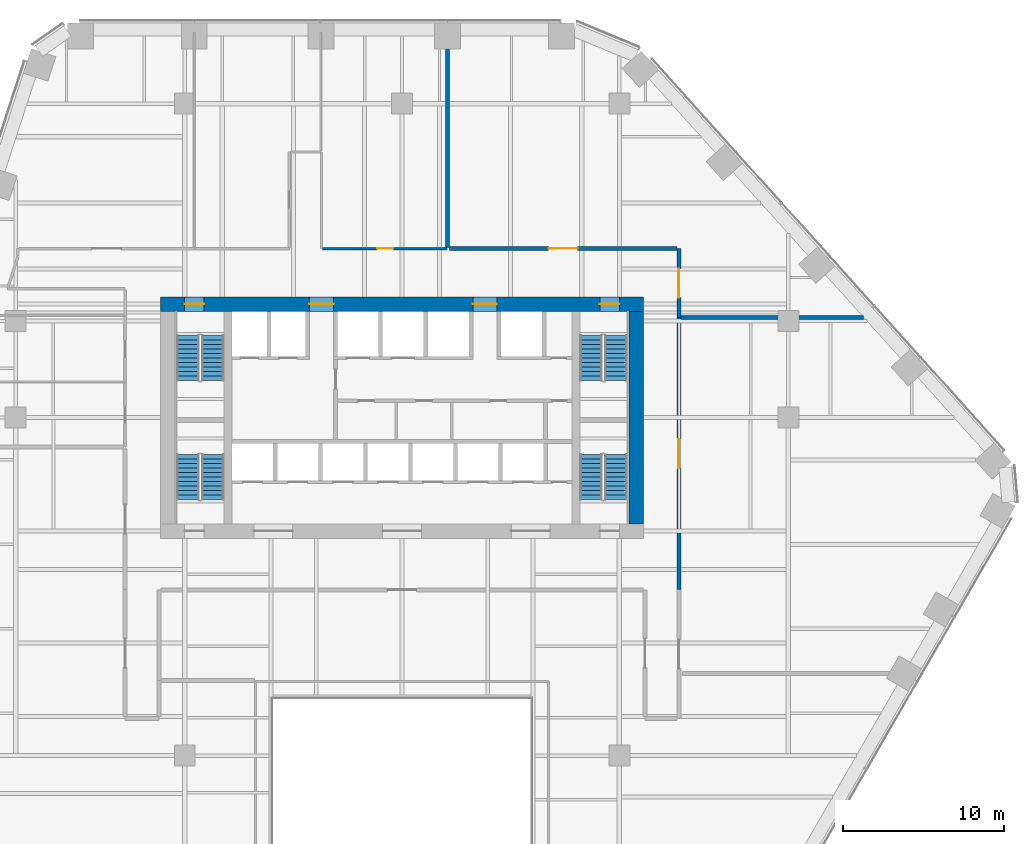
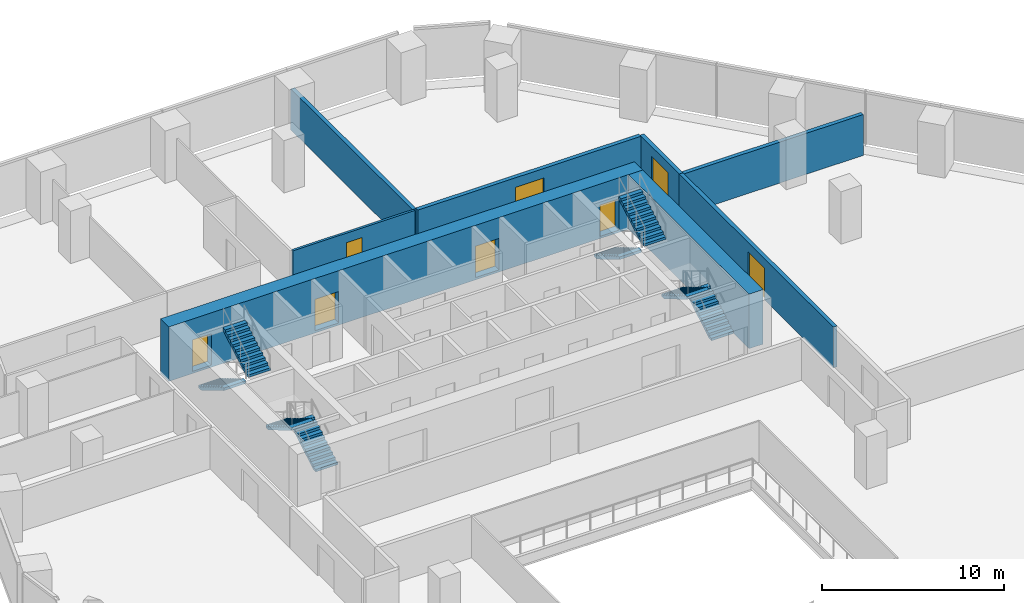
# One storey, part 16 of 19: 8 doors, 8 stair flights, 8 walls, 8 openings, 4 elements without a shape of their own.
"""IFC4 building model written with IfcOpenShell, lengths in metres."""

from ifc_helpers import new_model, si_unit, direction, frame, frame_2d, origin, place, context, subcontext, project, spatial, polyline, rectangle, outline, extrude, material, layer, layer_set, type_object, element, fill, aggregate, save


model = new_model("IFC4")

# Units and contexts
model_context = context("Model", 3, precision=1e-05, world=origin(), true_north=direction((0.0, 1.0)))
body_context = subcontext(model_context, "Body", "Model", "MODEL_VIEW")
ifc_project = project(units=[si_unit("LENGTHUNIT", "METRE"), si_unit("AREAUNIT", "SQUARE_METRE"), si_unit("VOLUMEUNIT", "CUBIC_METRE"), si_unit("PLANEANGLEUNIT", "RADIAN"), si_unit("MASSUNIT", "GRAM", prefix="KILO")], contexts=[model_context])

# Site, building, storey
site_placement = place(None, origin())
site = spatial("IfcSite", under=ifc_project, at=site_placement, CompositionType="ELEMENT")
building_placement = place(site_placement, origin())
building = spatial("IfcBuilding", under=site, at=building_placement, Name="Isthmus Gate Tower", CompositionType="ELEMENT")
storey_placement = place(building_placement, frame((0.0, 0.0, 95.25)))
storey = spatial("IfcBuildingStorey", under=building, at=storey_placement, Name="L22", CompositionType="ELEMENT", Elevation=95.25)

# Wall, opening, door
ifc_material_1 = material(Name="Double-leaf acoustic stud wall, fire-rated", Category="gypsum")
ifc_layer_1 = layer(ifc_material_1, 0.25)
ifc_layer_set_1 = layer_set([ifc_layer_1], Name="ACOUSTIC WALL 250 60 MIN")
wall_type_1 = type_object("IfcWallType", Name="ACOUSTIC WALL 250 60 MIN", PredefinedType="PARTITIONING", material=ifc_layer_set_1)
wall_1_placement = place(storey_placement, frame((17.199951171875, 18.0, 0.0), z_axis=(0.0, 0.0, 1.0), x_axis=(0.0, -1.0, 0.0)))
wall_1 = element("IfcWall", 1, at=wall_1_placement, inside=storey, type_object=wall_type_1, Name="L22 Acoustic Wall 250 60 Min", PredefinedType="PARTITIONING", context=body_context, shape_type="SweptSolid", body=[
    extrude(rectangle(XDim=4.291015625, YDim=0.25, at=frame_2d((2.1455078125, 0.0))), origin(), (0.0, 0.0, 1.0), 2.7412109375),
])
opening_1_placement = place(wall_1_placement, frame((1.24560546875, 0.0, 0.0)))
opening_1 = element("IfcOpeningElement", 2, at=opening_1_placement, cuts=wall_1, Name="Opening DT-T2B-05", PredefinedType="OPENING", context=body_context, shape_type="SweptSolid", body=[
    extrude(rectangle(XDim=1.800048828125, YDim=2.10009765625, at=frame_2d((0.89990234375, 1.050048828125))), frame((0.0, 0.135009765625, 0.0), z_axis=(0.0, -1.0, 0.0), x_axis=(1.0, 0.0, 0.0)), (0.0, 0.0, 1.0), 0.27001953125),
])
ifc_material_2 = material(Name="Solid core timber door leaf, fire-rated", Category="wood")
door_type_1 = type_object("IfcDoorType", Name="FIRE DOOR ACOUSTIC ROOM 1800 X 2100 60 MIN", OperationType="DOUBLE_DOOR_DOUBLE_SWING", PredefinedType="DOOR", material=ifc_material_2)
door_1_placement = place(opening_1_placement, origin())
door_1 = element("IfcDoor", 3, at=door_1_placement, inside=storey, type_object=door_type_1, Name="L22 room door", OperationType="DOUBLE_DOOR_DOUBLE_SWING", OverallHeight=2.10009765625, OverallWidth=1.800048828125, PredefinedType="DOOR", context=body_context, shape_type="SweptSolid", body=[
    extrude(rectangle(XDim=1.800048828125, YDim=2.10009765625, at=frame_2d((0.89990234375, 1.050048828125))), frame((0.0, 0.02490234375, 0.0), z_axis=(0.0, -1.0, 0.0), x_axis=(1.0, 0.0, 0.0)), (0.0, 0.0, 1.0), 0.050048828125),
])
fill(opening_1, door_1)

wall_2_placement = place(storey_placement, frame((17.199951171875, 13.708984375, 0.0), z_axis=(0.0, 0.0, 1.0), x_axis=(0.0, -1.0, 0.0)))
wall_2 = element("IfcWall", 4, at=wall_2_placement, inside=storey, type_object=wall_type_1, Name="L22 Acoustic Wall 250 60 Min", PredefinedType="PARTITIONING", context=body_context, shape_type="SweptSolid", body=[
    extrude(rectangle(XDim=16.89697265625, YDim=0.25, at=frame_2d((8.448486328125, 0.0))), origin(), (0.0, 0.0, 1.0), 2.7412109375),
])
opening_2_placement = place(wall_2_placement, frame((7.548583984375, 0.0, 0.0)))
opening_2 = element("IfcOpeningElement", 5, at=opening_2_placement, cuts=wall_2, Name="Opening DT-T2B-08", PredefinedType="OPENING", context=body_context, shape_type="SweptSolid", body=[
    extrude(rectangle(XDim=1.800048828125, YDim=2.10009765625, at=frame_2d((0.89990234375, 1.050048828125))), frame((0.0, 0.135009765625, 0.0), z_axis=(0.0, -1.0, 0.0), x_axis=(1.0, 0.0, 0.0)), (0.0, 0.0, 1.0), 0.27001953125),
])
door_2_placement = place(opening_2_placement, origin())
door_2 = element("IfcDoor", 6, at=door_2_placement, inside=storey, type_object=door_type_1, Name="L22 room door", OperationType="DOUBLE_DOOR_DOUBLE_SWING", OverallHeight=2.10009765625, OverallWidth=1.800048828125, PredefinedType="DOOR", context=body_context, shape_type="SweptSolid", body=[
    extrude(rectangle(XDim=1.800048828125, YDim=2.10009765625, at=frame_2d((0.89990234375, 1.050048828125))), frame((0.0, 0.02490234375, 0.0), z_axis=(0.0, -1.0, 0.0), x_axis=(1.0, 0.0, 0.0)), (0.0, 0.0, 1.0), 0.050048828125),
])
fill(opening_2, door_2)

# Wall
wall_3_placement = place(storey_placement, frame((2.83203125, 18.074951171875, 0.0), z_axis=(0.0, 0.0, 1.0), x_axis=(0.0, 1.0, 0.0)))
element("IfcWall", 7, at=wall_3_placement, inside=storey, type_object=wall_type_1, Name="L22 Acoustic Wall 250 60 Min", PredefinedType="PARTITIONING", context=body_context, shape_type="SweptSolid", body=[
    extrude(rectangle(XDim=13.324951171875, YDim=0.25, at=frame_2d((6.66259765625, 0.0))), origin(), (0.0, 0.0, 1.0), 2.7412109375),
])

# Wall, opening, door
wall_4_placement = place(storey_placement, frame((2.95703125, 18.0, 0.0), z_axis=(0.0, 0.0, 1.0), x_axis=(1.0, 0.0, 0.0)))
wall_4 = element("IfcWall", 8, at=wall_4_placement, inside=storey, type_object=wall_type_1, Name="L22 Acoustic Wall 250 60 Min", PredefinedType="PARTITIONING", context=body_context, shape_type="SweptSolid", body=[
    extrude(rectangle(XDim=14.117919921875, YDim=0.25, at=frame_2d((7.05908203125, 0.0))), origin(), (0.0, 0.0, 1.0), 2.7412109375),
])
opening_3_placement = place(wall_4_placement, frame((6.158935546875, 0.0, 0.0)))
opening_3 = element("IfcOpeningElement", 9, at=opening_3_placement, cuts=wall_4, Name="Opening DT-T2B-04", PredefinedType="OPENING", context=body_context, shape_type="SweptSolid", body=[
    extrude(rectangle(XDim=1.800048828125, YDim=2.10009765625, at=frame_2d((0.89990234375, 1.050048828125))), frame((0.0, 0.135009765625, 0.0), z_axis=(0.0, -1.0, 0.0), x_axis=(1.0, 0.0, 0.0)), (0.0, 0.0, 1.0), 0.27001953125),
])
door_3_placement = place(opening_3_placement, origin())
door_3 = element("IfcDoor", 10, at=door_3_placement, inside=storey, type_object=door_type_1, Name="L22 room door", OperationType="DOUBLE_DOOR_DOUBLE_SWING", OverallHeight=2.10009765625, OverallWidth=1.800048828125, PredefinedType="DOOR", context=body_context, shape_type="SweptSolid", body=[
    extrude(rectangle(XDim=1.800048828125, YDim=2.10009765625, at=frame_2d((0.89990234375, 1.050048828125))), frame((0.0, 0.02490234375, 0.0), z_axis=(0.0, -1.0, 0.0), x_axis=(1.0, 0.0, 0.0)), (0.0, 0.0, 1.0), 0.050048828125),
])
fill(opening_3, door_3)

# Wall
wall_5_placement = place(storey_placement, frame((17.324951171875, 13.708984375, 0.0), z_axis=(0.0, 0.0, 1.0), x_axis=(1.0, 0.0, 0.0)))
element("IfcWall", 11, at=wall_5_placement, inside=storey, type_object=wall_type_1, Name="L22 Acoustic Wall 250 60 Min", PredefinedType="PARTITIONING", context=body_context, shape_type="SweptSolid", body=[
    extrude(rectangle(XDim=11.343017578125, YDim=0.25, at=frame_2d((5.67138671875, 0.0))), origin(), (0.0, 0.0, 1.0), 2.7412109375),
])

# Wall, opening, door
ifc_material_3 = material(Name="Gypsum board on steel studs, fire-rated", Category="steel")
ifc_layer_2 = layer(ifc_material_3, 0.14990234375)
ifc_layer_set_2 = layer_set([ifc_layer_2], Name="CORRIDOR WALL 150 60 MIN")
wall_type_2 = type_object("IfcWallType", Name="CORRIDOR WALL 150 60 MIN", PredefinedType="PARTITIONING", material=ifc_layer_set_2)
wall_6_placement = place(storey_placement, frame((-4.925048828125, 18.0, 0.0), z_axis=(0.0, 0.0, 1.0), x_axis=(1.0, 0.0, 0.0)))
wall_6 = element("IfcWall", 12, at=wall_6_placement, inside=storey, type_object=wall_type_2, Name="L22 Corridor Wall 150 60 Min", PredefinedType="PARTITIONING", context=body_context, shape_type="SweptSolid", body=[
    extrude(rectangle(XDim=7.70703125, YDim=0.14990234375, at=frame_2d((3.853515625, 0.0))), origin(), (0.0, 0.0, 1.0), 2.7412109375),
])
opening_4_placement = place(wall_6_placement, frame((3.37841796875, 0.0, 0.0)))
opening_4 = element("IfcOpeningElement", 13, at=opening_4_placement, cuts=wall_6, Name="Opening DT-T2B-03", PredefinedType="OPENING", context=body_context, shape_type="SweptSolid", body=[
    extrude(rectangle(XDim=1.0, YDim=2.10009765625, at=frame_2d((0.5, 1.050048828125))), frame((0.0, 0.0849609375, 0.0), z_axis=(0.0, -1.0, 0.0), x_axis=(1.0, 0.0, 0.0)), (0.0, 0.0, 1.0), 0.169921875),
])
ifc_material_4 = material(Name="Solid core timber door leaf, fire-rated", Category="wood")
door_type_2 = type_object("IfcDoorType", Name="FIRE DOOR ROOM 1000 X 2100 60 MIN", OperationType="SINGLE_SWING_LEFT", PredefinedType="DOOR", material=ifc_material_4)
door_4_placement = place(opening_4_placement, origin())
door_4 = element("IfcDoor", 14, at=door_4_placement, inside=storey, type_object=door_type_2, Name="L22 room door", OperationType="SINGLE_SWING_RIGHT", OverallHeight=2.10009765625, OverallWidth=1.0, PredefinedType="DOOR", context=body_context, shape_type="SweptSolid", body=[
    extrude(rectangle(XDim=1.0, YDim=2.10009765625, at=frame_2d((0.5, 1.050048828125))), frame((0.0, 0.02490234375, 0.0), z_axis=(0.0, -1.0, 0.0), x_axis=(1.0, 0.0, 0.0)), (0.0, 0.0, 1.0), 0.050048828125),
])
fill(opening_4, door_4)

# Wall, openings, doors
ifc_material_5 = material(Name="Concrete f'c 70 MPa", Category="concrete")
ifc_layer_3 = layer(ifc_material_5, 0.89990234375)
ifc_layer_set_3 = layer_set([ifc_layer_3], Name="RC CORE WALL 900 F'C 70")
wall_type_3 = type_object("IfcWallType", Name="RC CORE WALL 900 F'C 70", PredefinedType="SOLIDWALL", material=ifc_layer_set_3)
wall_7_placement = place(storey_placement, frame((-15.0, 14.550048828125, -0.14990234375), z_axis=(0.0, 0.0, 1.0), x_axis=(1.0, 0.0, 0.0)))
wall_7 = element("IfcWall", 15, at=wall_7_placement, inside=storey, type_object=wall_type_3, Name="str-corewall-L22-N", PredefinedType="SOLIDWALL", context=body_context, shape_type="SweptSolid", body=[
    extrude(rectangle(XDim=30.0, YDim=0.89990234375, at=frame_2d((15.0, 0.0))), origin(), (0.0, 0.0, 1.0), 3.64990234375),
])
opening_5_placement = place(wall_7_placement, frame((9.25, 0.0, 0.14990234375)))
opening_5 = element("IfcOpeningElement", 16, at=opening_5_placement, cuts=wall_7, Name="Opening DC-A03-11", PredefinedType="OPENING", context=body_context, shape_type="SweptSolid", body=[
    extrude(rectangle(XDim=1.5, YDim=2.10009765625, at=frame_2d((0.75, 1.050048828125))), frame((0.0, 0.4599609375, 0.0), z_axis=(0.0, -1.0, 0.0), x_axis=(1.0, 0.0, 0.0)), (0.0, 0.0, 1.0), 0.919921875),
])
opening_6_placement = place(wall_7_placement, frame((19.39990234375, 0.0, 0.14990234375)))
opening_6 = element("IfcOpeningElement", 17, at=opening_6_placement, cuts=wall_7, Name="Opening DC-A03-12", PredefinedType="OPENING", context=body_context, shape_type="SweptSolid", body=[
    extrude(rectangle(XDim=1.5, YDim=2.10009765625, at=frame_2d((0.75, 1.050048828125))), frame((0.0, 0.4599609375, 0.0), z_axis=(0.0, -1.0, 0.0), x_axis=(1.0, 0.0, 0.0)), (0.0, 0.0, 1.0), 0.919921875),
])
opening_7_placement = place(wall_7_placement, frame((1.5, 0.0, 0.14990234375)))
opening_7 = element("IfcOpeningElement", 18, at=opening_7_placement, cuts=wall_7, Name="Opening DC-A03-13", PredefinedType="OPENING", context=body_context, shape_type="SweptSolid", body=[
    extrude(rectangle(XDim=1.199951171875, YDim=2.10009765625, at=frame_2d((0.60009765625, 1.050048828125))), frame((0.0, 0.4599609375, 0.0), z_axis=(0.0, -1.0, 0.0), x_axis=(1.0, 0.0, 0.0)), (0.0, 0.0, 1.0), 0.919921875),
])
opening_8_placement = place(wall_7_placement, frame((27.300048828125, 0.0, 0.14990234375)))
opening_8 = element("IfcOpeningElement", 19, at=opening_8_placement, cuts=wall_7, Name="Opening DC-A03-14", PredefinedType="OPENING", context=body_context, shape_type="SweptSolid", body=[
    extrude(rectangle(XDim=1.199951171875, YDim=2.10009765625, at=frame_2d((0.60009765625, 1.050048828125))), frame((0.0, 0.4599609375, 0.0), z_axis=(0.0, -1.0, 0.0), x_axis=(1.0, 0.0, 0.0)), (0.0, 0.0, 1.0), 0.919921875),
])
ifc_material_6 = material(Name="Steel door leaf, fire-rated", Category="steel")
door_type_3 = type_object("IfcDoorType", Name="LOBBY FIRE DOOR 1500 X 2100 60 MIN", OperationType="DOUBLE_DOOR_SINGLE_SWING", PredefinedType="DOOR", material=ifc_material_6)
door_5_placement = place(opening_6_placement, origin())
door_5 = element("IfcDoor", 20, at=door_5_placement, inside=storey, type_object=door_type_3, Name="Lobby Door PN-E", OperationType="DOUBLE_DOOR_SINGLE_SWING", OverallHeight=2.10009765625, OverallWidth=1.5, PredefinedType="DOOR", context=body_context, shape_type="SweptSolid", body=[
    extrude(rectangle(XDim=1.5, YDim=2.10009765625, at=frame_2d((0.75, 1.050048828125))), frame((0.0, 0.02490234375, 0.0), z_axis=(0.0, -1.0, 0.0), x_axis=(1.0, 0.0, 0.0)), (0.0, 0.0, 1.0), 0.050048828125),
])
fill(opening_6, door_5)
ifc_material_7 = material(Name="Steel door leaf, fire-rated", Category="steel")
door_type_4 = type_object("IfcDoorType", Name="LOBBY FIRE DOOR 1500 X 2100 90 MIN", OperationType="DOUBLE_DOOR_SINGLE_SWING", PredefinedType="DOOR", material=ifc_material_7)
door_6_placement = place(opening_5_placement, origin())
door_6 = element("IfcDoor", 21, at=door_6_placement, inside=storey, type_object=door_type_4, Name="Lobby Door PN-W", OperationType="DOUBLE_DOOR_SINGLE_SWING", OverallHeight=2.10009765625, OverallWidth=1.5, PredefinedType="DOOR", context=body_context, shape_type="SweptSolid", body=[
    extrude(rectangle(XDim=1.5, YDim=2.10009765625, at=frame_2d((0.75, 1.050048828125))), frame((0.0, 0.02490234375, 0.0), z_axis=(0.0, -1.0, 0.0), x_axis=(1.0, 0.0, 0.0)), (0.0, 0.0, 1.0), 0.050048828125),
])
fill(opening_5, door_6)
ifc_material_8 = material(Name="Steel door leaf, fire-rated", Category="steel")
door_type_5 = type_object("IfcDoorType", Name="STAIR FIRE DOOR 1200 X 2100 90 MIN", OperationType="SINGLE_SWING_LEFT", PredefinedType="DOOR", material=ifc_material_8)
door_7_placement = place(opening_7_placement, origin())
door_7 = element("IfcDoor", 22, at=door_7_placement, inside=storey, type_object=door_type_5, Name="Exit Stair 1 Door", OperationType="SINGLE_SWING_RIGHT", OverallHeight=2.10009765625, OverallWidth=1.199951171875, PredefinedType="DOOR", context=body_context, shape_type="SweptSolid", body=[
    extrude(rectangle(XDim=1.199951171875, YDim=2.10009765625, at=frame_2d((0.60009765625, 1.050048828125))), frame((0.0, 0.02490234375, 0.0), z_axis=(0.0, -1.0, 0.0), x_axis=(1.0, 0.0, 0.0)), (0.0, 0.0, 1.0), 0.050048828125),
])
fill(opening_7, door_7)
door_8_placement = place(opening_8_placement, origin())
door_8 = element("IfcDoor", 23, at=door_8_placement, inside=storey, type_object=door_type_5, Name="Exit Stair 2 Door", OperationType="SINGLE_SWING_LEFT", OverallHeight=2.10009765625, OverallWidth=1.199951171875, PredefinedType="DOOR", context=body_context, shape_type="SweptSolid", body=[
    extrude(rectangle(XDim=1.199951171875, YDim=2.10009765625, at=frame_2d((0.60009765625, 1.050048828125))), frame((0.0, 0.02490234375, 0.0), z_axis=(0.0, -1.0, 0.0), x_axis=(1.0, 0.0, 0.0)), (0.0, 0.0, 1.0), 0.050048828125),
])
fill(opening_8, door_8)

# Wall
wall_8_placement = place(storey_placement, frame((14.550048828125, 0.89990234375, -0.14990234375), z_axis=(0.0, 0.0, 1.0), x_axis=(0.0, 1.0, 0.0)))
element("IfcWall", 24, at=wall_8_placement, inside=storey, type_object=wall_type_3, Name="str-corewall-L22-E", PredefinedType="SOLIDWALL", context=body_context, shape_type="SweptSolid", body=[
    extrude(rectangle(XDim=13.2001953125, YDim=0.89990234375, at=frame_2d((6.60009765625, 0.0))), origin(), (0.0, 0.0, 1.0), 3.64990234375),
])

# Stair, stair flights
ifc_material_9 = material(Name="Concrete f'c 40 MPa", Category="concrete")
stair_type = type_object("IfcStairType", Name="CORE STAIR 22 RISERS", PredefinedType="HALF_TURN_STAIR", material=ifc_material_9)
stair_1_placement = place(storey_placement, origin())
stair_1 = element("IfcStair", 25, at=stair_1_placement, inside=storey, type_object=stair_type, Name="L22 Exit Stair 1", PredefinedType="HALF_TURN_STAIR")
ifc_material_10 = material(Name="Concrete f'c 40 MPa", Category="concrete")
stair_flight_type = type_object("IfcStairFlightType", Name="STAIR FLIGHT RC 1400", PredefinedType="STRAIGHT", material=ifc_material_10)
stair_flight_1_placement = place(storey_placement, frame((-13.300048828125, 12.60009765625, 0.0), z_axis=(0.0, 0.0, 1.0), x_axis=(0.0, -1.0, 0.0)))
stair_flight_1 = element("IfcStairFlight", 26, at=stair_flight_1_placement, type_object=stair_flight_type, Name="ST1 flight 1", NumberOfRisers=11, NumberOfTreads=10, PredefinedType="STRAIGHT", RiserHeight=0.165909091, TreadLength=0.28, context=body_context, shape_type="SweptSolid", body=[
    extrude(outline(polyline([(0.0, 0.0), (0.0, 0.166015625), (0.280029296875, 0.166015625), (0.280029296875, 0.331787109375), (0.56005859375, 0.331787109375), (0.56005859375, 0.497802734375), (0.840087890625, 0.497802734375), (0.840087890625, 0.66357421875), (1.1201171875, 0.66357421875), (1.1201171875, 0.82958984375), (1.39990234375, 0.82958984375), (1.39990234375, 0.995361328125), (1.679931640625, 0.995361328125), (1.679931640625, 1.161376953125), (1.9599609375, 1.161376953125), (1.9599609375, 1.327392578125), (2.239990234375, 1.327392578125), (2.239990234375, 1.4931640625), (2.52001953125, 1.4931640625), (2.52001953125, 1.6591796875), (2.800048828125, 1.6591796875), (2.800048828125, 1.824951171875), (2.800048828125, 1.48486328125), (0.2939453125, 0.0), (0.0, 0.0)])), frame((0.0, 0.699951171875, 0.0), z_axis=(0.0, -1.0, 0.0), x_axis=(1.0, 0.0, 0.0)), (0.0, 0.0, 1.0), 1.39990234375),
])
stair_flight_2_placement = place(storey_placement, frame((-11.75, 9.800048828125, 1.824951171875), z_axis=(0.0, 0.0, 1.0), x_axis=(0.0, 1.0, 0.0)))
stair_flight_2 = element("IfcStairFlight", 27, at=stair_flight_2_placement, type_object=stair_flight_type, Name="ST1 flight 2", NumberOfRisers=11, NumberOfTreads=10, PredefinedType="STRAIGHT", RiserHeight=0.165909091, TreadLength=0.28, context=body_context, shape_type="SweptSolid", body=[
    extrude(outline(polyline([(0.0, 0.0), (0.0, 0.166015625), (0.280029296875, 0.166015625), (0.280029296875, 0.331787109375), (0.56005859375, 0.331787109375), (0.56005859375, 0.497802734375), (0.840087890625, 0.497802734375), (0.840087890625, 0.66357421875), (1.1201171875, 0.66357421875), (1.1201171875, 0.82958984375), (1.39990234375, 0.82958984375), (1.39990234375, 0.995361328125), (1.679931640625, 0.995361328125), (1.679931640625, 1.161376953125), (1.9599609375, 1.161376953125), (1.9599609375, 1.327392578125), (2.239990234375, 1.327392578125), (2.239990234375, 1.4931640625), (2.52001953125, 1.4931640625), (2.52001953125, 1.6591796875), (2.800048828125, 1.6591796875), (2.800048828125, 1.824951171875), (2.800048828125, 1.48486328125), (0.2939453125, 0.0), (0.0, 0.0)])), frame((0.0, 0.699951171875, 0.0), z_axis=(0.0, -1.0, 0.0), x_axis=(1.0, 0.0, 0.0)), (0.0, 0.0, 1.0), 1.39990234375),
])
aggregate(stair_1, [stair_flight_1, stair_flight_2])

stair_2_placement = place(storey_placement, origin())
stair_2 = element("IfcStair", 28, at=stair_2_placement, inside=storey, type_object=stair_type, Name="L22 Exit Stair 2", PredefinedType="HALF_TURN_STAIR")
stair_flight_3_placement = place(storey_placement, frame((11.75, 12.60009765625, 0.0), z_axis=(0.0, 0.0, 1.0), x_axis=(0.0, -1.0, 0.0)))
stair_flight_3 = element("IfcStairFlight", 29, at=stair_flight_3_placement, type_object=stair_flight_type, Name="ST2 flight 1", NumberOfRisers=11, NumberOfTreads=10, PredefinedType="STRAIGHT", RiserHeight=0.165909091, TreadLength=0.28, context=body_context, shape_type="SweptSolid", body=[
    extrude(outline(polyline([(0.0, 0.0), (0.0, 0.166015625), (0.280029296875, 0.166015625), (0.280029296875, 0.331787109375), (0.56005859375, 0.331787109375), (0.56005859375, 0.497802734375), (0.840087890625, 0.497802734375), (0.840087890625, 0.66357421875), (1.1201171875, 0.66357421875), (1.1201171875, 0.82958984375), (1.39990234375, 0.82958984375), (1.39990234375, 0.995361328125), (1.679931640625, 0.995361328125), (1.679931640625, 1.161376953125), (1.9599609375, 1.161376953125), (1.9599609375, 1.327392578125), (2.239990234375, 1.327392578125), (2.239990234375, 1.4931640625), (2.52001953125, 1.4931640625), (2.52001953125, 1.6591796875), (2.800048828125, 1.6591796875), (2.800048828125, 1.824951171875), (2.800048828125, 1.48486328125), (0.2939453125, 0.0), (0.0, 0.0)])), frame((0.0, 0.699951171875, 0.0), z_axis=(0.0, -1.0, 0.0), x_axis=(1.0, 0.0, 0.0)), (0.0, 0.0, 1.0), 1.39990234375),
])
stair_flight_4_placement = place(storey_placement, frame((13.300048828125, 9.800048828125, 1.824951171875), z_axis=(0.0, 0.0, 1.0), x_axis=(0.0, 1.0, 0.0)))
stair_flight_4 = element("IfcStairFlight", 30, at=stair_flight_4_placement, type_object=stair_flight_type, Name="ST2 flight 2", NumberOfRisers=11, NumberOfTreads=10, PredefinedType="STRAIGHT", RiserHeight=0.165909091, TreadLength=0.28, context=body_context, shape_type="SweptSolid", body=[
    extrude(outline(polyline([(0.0, 0.0), (0.0, 0.166015625), (0.280029296875, 0.166015625), (0.280029296875, 0.331787109375), (0.56005859375, 0.331787109375), (0.56005859375, 0.497802734375), (0.840087890625, 0.497802734375), (0.840087890625, 0.66357421875), (1.1201171875, 0.66357421875), (1.1201171875, 0.82958984375), (1.39990234375, 0.82958984375), (1.39990234375, 0.995361328125), (1.679931640625, 0.995361328125), (1.679931640625, 1.161376953125), (1.9599609375, 1.161376953125), (1.9599609375, 1.327392578125), (2.239990234375, 1.327392578125), (2.239990234375, 1.4931640625), (2.52001953125, 1.4931640625), (2.52001953125, 1.6591796875), (2.800048828125, 1.6591796875), (2.800048828125, 1.824951171875), (2.800048828125, 1.48486328125), (0.2939453125, 0.0), (0.0, 0.0)])), frame((0.0, 0.699951171875, 0.0), z_axis=(0.0, -1.0, 0.0), x_axis=(1.0, 0.0, 0.0)), (0.0, 0.0, 1.0), 1.39990234375),
])
aggregate(stair_2, [stair_flight_3, stair_flight_4])

stair_3_placement = place(storey_placement, origin())
stair_3 = element("IfcStair", 31, at=stair_3_placement, inside=storey, type_object=stair_type, Name="L22 Exit Stair 7", PredefinedType="HALF_TURN_STAIR")
stair_flight_5_placement = place(storey_placement, frame((-11.75, 2.39990234375, 0.0), z_axis=(0.0, 0.0, 1.0), x_axis=(0.0, 1.0, 0.0)))
stair_flight_5 = element("IfcStairFlight", 32, at=stair_flight_5_placement, type_object=stair_flight_type, Name="ST7 flight 1", NumberOfRisers=11, NumberOfTreads=10, PredefinedType="STRAIGHT", RiserHeight=0.165909091, TreadLength=0.28, context=body_context, shape_type="SweptSolid", body=[
    extrude(outline(polyline([(0.0, 0.0), (0.0, 0.166015625), (0.280029296875, 0.166015625), (0.280029296875, 0.331787109375), (0.56005859375, 0.331787109375), (0.56005859375, 0.497802734375), (0.840087890625, 0.497802734375), (0.840087890625, 0.66357421875), (1.1201171875, 0.66357421875), (1.1201171875, 0.82958984375), (1.39990234375, 0.82958984375), (1.39990234375, 0.995361328125), (1.679931640625, 0.995361328125), (1.679931640625, 1.161376953125), (1.9599609375, 1.161376953125), (1.9599609375, 1.327392578125), (2.239990234375, 1.327392578125), (2.239990234375, 1.4931640625), (2.52001953125, 1.4931640625), (2.52001953125, 1.6591796875), (2.800048828125, 1.6591796875), (2.800048828125, 1.824951171875), (2.800048828125, 1.48486328125), (0.2939453125, 0.0), (0.0, 0.0)])), frame((0.0, 0.699951171875, 0.0), z_axis=(0.0, -1.0, 0.0), x_axis=(1.0, 0.0, 0.0)), (0.0, 0.0, 1.0), 1.39990234375),
])
stair_flight_6_placement = place(storey_placement, frame((-13.300048828125, 5.199951171875, 1.824951171875), z_axis=(0.0, 0.0, 1.0), x_axis=(0.0, -1.0, 0.0)))
stair_flight_6 = element("IfcStairFlight", 33, at=stair_flight_6_placement, type_object=stair_flight_type, Name="ST7 flight 2", NumberOfRisers=11, NumberOfTreads=10, PredefinedType="STRAIGHT", RiserHeight=0.165909091, TreadLength=0.28, context=body_context, shape_type="SweptSolid", body=[
    extrude(outline(polyline([(0.0, 0.0), (0.0, 0.166015625), (0.280029296875, 0.166015625), (0.280029296875, 0.331787109375), (0.56005859375, 0.331787109375), (0.56005859375, 0.497802734375), (0.840087890625, 0.497802734375), (0.840087890625, 0.66357421875), (1.1201171875, 0.66357421875), (1.1201171875, 0.82958984375), (1.39990234375, 0.82958984375), (1.39990234375, 0.995361328125), (1.679931640625, 0.995361328125), (1.679931640625, 1.161376953125), (1.9599609375, 1.161376953125), (1.9599609375, 1.327392578125), (2.239990234375, 1.327392578125), (2.239990234375, 1.4931640625), (2.52001953125, 1.4931640625), (2.52001953125, 1.6591796875), (2.800048828125, 1.6591796875), (2.800048828125, 1.824951171875), (2.800048828125, 1.48486328125), (0.2939453125, 0.0), (0.0, 0.0)])), frame((0.0, 0.699951171875, 0.0), z_axis=(0.0, -1.0, 0.0), x_axis=(1.0, 0.0, 0.0)), (0.0, 0.0, 1.0), 1.39990234375),
])
aggregate(stair_3, [stair_flight_5, stair_flight_6])

stair_4_placement = place(storey_placement, origin())
stair_4 = element("IfcStair", 34, at=stair_4_placement, inside=storey, type_object=stair_type, Name="L22 Exit Stair 8", PredefinedType="HALF_TURN_STAIR")
stair_flight_7_placement = place(storey_placement, frame((13.300048828125, 2.39990234375, 0.0), z_axis=(0.0, 0.0, 1.0), x_axis=(0.0, 1.0, 0.0)))
stair_flight_7 = element("IfcStairFlight", 35, at=stair_flight_7_placement, type_object=stair_flight_type, Name="ST8 flight 1", NumberOfRisers=11, NumberOfTreads=10, PredefinedType="STRAIGHT", RiserHeight=0.165909091, TreadLength=0.28, context=body_context, shape_type="SweptSolid", body=[
    extrude(outline(polyline([(0.0, 0.0), (0.0, 0.166015625), (0.280029296875, 0.166015625), (0.280029296875, 0.331787109375), (0.56005859375, 0.331787109375), (0.56005859375, 0.497802734375), (0.840087890625, 0.497802734375), (0.840087890625, 0.66357421875), (1.1201171875, 0.66357421875), (1.1201171875, 0.82958984375), (1.39990234375, 0.82958984375), (1.39990234375, 0.995361328125), (1.679931640625, 0.995361328125), (1.679931640625, 1.161376953125), (1.9599609375, 1.161376953125), (1.9599609375, 1.327392578125), (2.239990234375, 1.327392578125), (2.239990234375, 1.4931640625), (2.52001953125, 1.4931640625), (2.52001953125, 1.6591796875), (2.800048828125, 1.6591796875), (2.800048828125, 1.824951171875), (2.800048828125, 1.48486328125), (0.2939453125, 0.0), (0.0, 0.0)])), frame((0.0, 0.699951171875, 0.0), z_axis=(0.0, -1.0, 0.0), x_axis=(1.0, 0.0, 0.0)), (0.0, 0.0, 1.0), 1.39990234375),
])
stair_flight_8_placement = place(storey_placement, frame((11.75, 5.199951171875, 1.824951171875), z_axis=(0.0, 0.0, 1.0), x_axis=(0.0, -1.0, 0.0)))
stair_flight_8 = element("IfcStairFlight", 36, at=stair_flight_8_placement, type_object=stair_flight_type, Name="ST8 flight 2", NumberOfRisers=11, NumberOfTreads=10, PredefinedType="STRAIGHT", RiserHeight=0.165909091, TreadLength=0.28, context=body_context, shape_type="SweptSolid", body=[
    extrude(outline(polyline([(0.0, 0.0), (0.0, 0.166015625), (0.280029296875, 0.166015625), (0.280029296875, 0.331787109375), (0.56005859375, 0.331787109375), (0.56005859375, 0.497802734375), (0.840087890625, 0.497802734375), (0.840087890625, 0.66357421875), (1.1201171875, 0.66357421875), (1.1201171875, 0.82958984375), (1.39990234375, 0.82958984375), (1.39990234375, 0.995361328125), (1.679931640625, 0.995361328125), (1.679931640625, 1.161376953125), (1.9599609375, 1.161376953125), (1.9599609375, 1.327392578125), (2.239990234375, 1.327392578125), (2.239990234375, 1.4931640625), (2.52001953125, 1.4931640625), (2.52001953125, 1.6591796875), (2.800048828125, 1.6591796875), (2.800048828125, 1.824951171875), (2.800048828125, 1.48486328125), (0.2939453125, 0.0), (0.0, 0.0)])), frame((0.0, 0.699951171875, 0.0), z_axis=(0.0, -1.0, 0.0), x_axis=(1.0, 0.0, 0.0)), (0.0, 0.0, 1.0), 1.39990234375),
])
aggregate(stair_4, [stair_flight_7, stair_flight_8])

save(model, "model.ifc")
